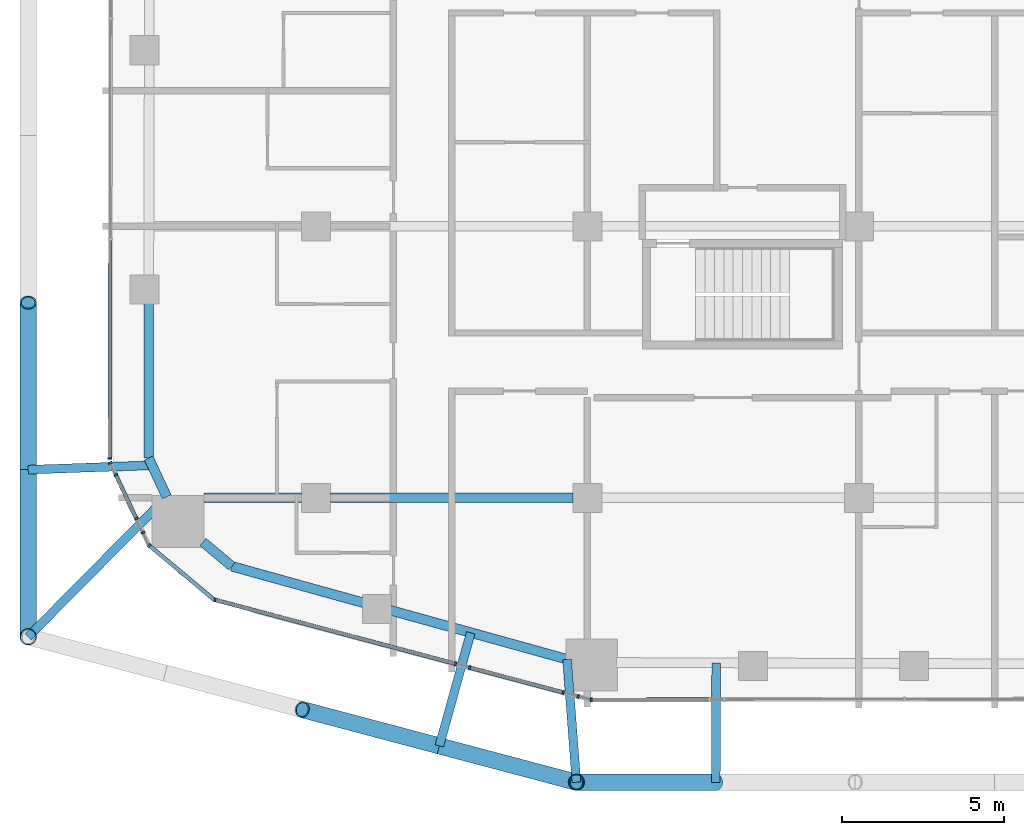
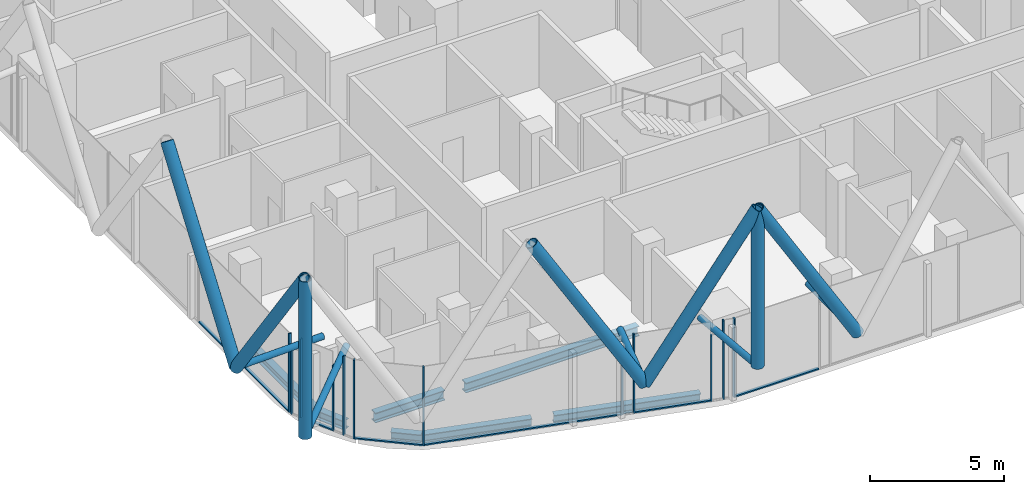
# One storey, part 2 of 36: 30 members, 7 beams, 12 elements without a shape of their own.
"""IFC4 building model written with IfcOpenShell, lengths in metres."""

from ifc_helpers import new_model, si_unit, direction, frame, origin, origin_2d, place, context, subcontext, project, spatial, rectangle, hollow_circle, i_section, extrude, material, layer, layer_set, material_profile, profile_set, type_object, element, aggregate, save


model = new_model("IFC4")

# Units and contexts
model_context = context("Model", 3, precision=1e-05, world=origin(), true_north=direction((0.0, 1.0)))
body_context = subcontext(model_context, "Body", "Model", "MODEL_VIEW")
ifc_project = project(units=[si_unit("LENGTHUNIT", "METRE"), si_unit("AREAUNIT", "SQUARE_METRE"), si_unit("VOLUMEUNIT", "CUBIC_METRE"), si_unit("PLANEANGLEUNIT", "RADIAN"), si_unit("MASSUNIT", "GRAM", prefix="KILO")], contexts=[model_context])

# Site, building, storey
site_placement = place(None, origin())
site = spatial("IfcSite", under=ifc_project, at=site_placement, CompositionType="ELEMENT")
building_placement = place(site_placement, origin())
building = spatial("IfcBuilding", under=site, at=building_placement, Name="Marenta Gate Hotel Tower", CompositionType="ELEMENT")
storey_placement = place(building_placement, frame((0.0, 0.0, 144.5)))
storey = spatial("IfcBuildingStorey", under=building, at=storey_placement, Name="L33", CompositionType="ELEMENT", Elevation=144.5)

# Members
ifc_material_1 = material(Name="Steel S355J2W", Category="steel")
ifc_material_profile_1 = material_profile(ifc_material_1, hollow_circle(Radius=0.25390625, WallThickness=0.02490234375, at=origin_2d()), Name="CHS 508x25")
ifc_profile_set_1 = profile_set([ifc_material_profile_1], Name="Steel S355J2W")
member_type_1 = type_object("IfcMemberType", Name="Diagrid corner post Z2 CHS 508x25", PredefinedType="POST", material=ifc_profile_set_1)
for number, where, z_axis, x_axis, name in (
    (1, (-12.93896484375, -25.60009765625, 3.139892578125), (0.0, 0.0, 1.0), (1.0, 0.0, 0.0), "L33-DR-4"),
    (2, (-29.89990234375, -21.10009765625, 3.139892578125), (0.0, 0.0, 1.0), (1.0, 0.0, 0.0), "L33-DR-5"),
):
    element("IfcMember", number, at=place(storey_placement, frame(where, z_axis=z_axis, x_axis=x_axis)), inside=storey, type_object=member_type_1, Name=name, PredefinedType="POST", context=body_context, shape_type="SweptSolid", body=[
        extrude(hollow_circle(Radius=0.25390625, WallThickness=0.02490234375, at=origin_2d()), origin(), (0.0, 0.0, 1.0), 7.2001953125),
    ])
ifc_material_2 = material(Name="Steel S355J2W", Category="steel")
ifc_material_profile_2 = material_profile(ifc_material_2, hollow_circle(Radius=0.25390625, WallThickness=0.0400390625, at=origin_2d()), Name="CHS 508x40")
ifc_profile_set_2 = profile_set([ifc_material_profile_2], Name="Steel S355J2W")
member_type_2 = type_object("IfcMemberType", Name="Diagrid diagonal Z2 CHS 508x40", PredefinedType="BRACE", material=ifc_profile_set_2)
member_1_placement = place(storey_placement, frame((-8.6259765625, -25.60009765625, 3.139892578125), z_axis=(-0.513871079492, 0.0, 0.857867421961), x_axis=(0.0, -1.0, 0.0)))
element("IfcMember", 3, at=member_1_placement, inside=storey, type_object=member_type_2, Name="L33-DG-20", PredefinedType="BRACE", context=body_context, shape_type="SweptSolid", body=[
    extrude(hollow_circle(Radius=0.25390625, WallThickness=0.0400390625, at=origin_2d()), origin(), (0.0, 0.0, 1.0), 8.39306640625),
])
for number, where, z_axis, x_axis, name in (
    (4, (-17.17919921875, -24.47509765625, 3.139892578125), (0.50291158245, -0.13343024942, 0.853976761263), (0.256443187528, 0.96655930577, 0.0), "L33-DG-21"),
    (5, (-17.17919921875, -24.47509765625, 3.139892578125), (-0.50291158245, 0.13343024942, 0.853976761263), (-0.256443187528, -0.96655930577, 0.0), "L33-DG-22"),
):
    element("IfcMember", number, at=place(storey_placement, frame(where, z_axis=z_axis, x_axis=x_axis)), inside=storey, type_object=member_type_2, Name=name, PredefinedType="BRACE", context=body_context, shape_type="SweptSolid", body=[
        extrude(hollow_circle(Radius=0.25390625, WallThickness=0.0400390625, at=origin_2d()), origin(), (0.0, 0.0, 1.0), 8.431396484375),
    ])
member_2_placement = place(storey_placement, frame((-29.89990234375, -15.93017578125, 3.139892578125), z_axis=(0.0, -0.583247791947, 0.812294289767), x_axis=(1.0, 0.0, 0.0)))
element("IfcMember", 6, at=member_2_placement, inside=storey, type_object=member_type_2, Name="L33-DG-25", PredefinedType="BRACE", context=body_context, shape_type="SweptSolid", body=[
    extrude(hollow_circle(Radius=0.25390625, WallThickness=0.0400390625, at=origin_2d()), origin(), (0.0, 0.0, 1.0), 8.864013671875),
])
member_3_placement = place(storey_placement, frame((-29.89990234375, -15.93017578125, 3.139892578125), z_axis=(0.0, 0.583265964901, 0.81228124082), x_axis=(-1.0, 0.0, 0.0)))
element("IfcMember", 7, at=member_3_placement, inside=storey, type_object=member_type_2, Name="L33-DG-26", PredefinedType="BRACE", context=body_context, shape_type="SweptSolid", body=[
    extrude(hollow_circle(Radius=0.25390625, WallThickness=0.0400390625, at=origin_2d()), origin(), (0.0, 0.0, 1.0), 8.8642578125),
])

# Beams
ifc_material_3 = material(Name="Steel S355", Category="steel")
ifc_material_profile_3 = material_profile(ifc_material_3, i_section(OverallWidth=0.300048828125, OverallDepth=0.39990234375, WebThickness=0.013427734375, FlangeThickness=0.02392578125, FilletRadius=0.027099609375, at=origin_2d()), Name="HEB 400")
ifc_profile_set_3 = profile_set([ifc_material_profile_3], Name="Steel S355")
beam_type_1 = type_object("IfcBeamType", Name="Edge beam HEB 400", PredefinedType="SPANDREL", material=ifc_profile_set_3)
beam_1_placement = place(storey_placement, frame((-13.227783203125, -21.794677734375, -0.4599609375), z_axis=(-0.963615860477, 0.267290990189, 0.0), x_axis=(-0.267290990189, -0.963615860477, 0.0)))
element("IfcBeam", 8, at=beam_1_placement, inside=storey, type_object=beam_type_1, Name="L33-EB-1", PredefinedType="SPANDREL", context=body_context, shape_type="SweptSolid", body=[
    extrude(i_section(OverallWidth=0.300048828125, OverallDepth=0.39990234375, WebThickness=0.013427734375, FlangeThickness=0.02392578125, FilletRadius=0.027099609375, at=origin_2d()), origin(), (0.0, 0.0, 1.0), 5.674072265625),
])
beam_2_placement = place(storey_placement, frame((-19.518310546875, -20.0498046875, -0.4599609375), z_axis=(-0.963630213062, 0.267239242016, 0.0), x_axis=(-0.267239242016, -0.963630213062, 0.0)))
element("IfcBeam", 9, at=beam_2_placement, inside=storey, type_object=beam_type_1, Name="L33-EB-2", PredefinedType="SPANDREL", context=body_context, shape_type="SweptSolid", body=[
    extrude(i_section(OverallWidth=0.300048828125, OverallDepth=0.39990234375, WebThickness=0.013427734375, FlangeThickness=0.02392578125, FilletRadius=0.027099609375, at=origin_2d()), origin(), (0.0, 0.0, 1.0), 4.232666015625),
])
beam_3_placement = place(storey_placement, frame((-23.596923828125, -18.918701171875, -0.4599609375), z_axis=(-0.767073132856, 0.641559668972, 0.0), x_axis=(-0.641559668972, -0.767073132856, 0.0)))
element("IfcBeam", 10, at=beam_3_placement, inside=storey, type_object=beam_type_1, Name="L33-EB-3", PredefinedType="SPANDREL", context=body_context, shape_type="SweptSolid", body=[
    extrude(i_section(OverallWidth=0.300048828125, OverallDepth=0.39990234375, WebThickness=0.013427734375, FlangeThickness=0.02392578125, FilletRadius=0.027099609375, at=origin_2d()), origin(), (0.0, 0.0, 1.0), 1.1689453125),
])
beam_4_placement = place(storey_placement, frame((-25.613525390625, -16.769287109375, -0.4599609375), z_axis=(-0.423207780269, 0.906032656541, 0.0), x_axis=(-0.906032656541, -0.423207780269, 0.0)))
element("IfcBeam", 11, at=beam_4_placement, inside=storey, type_object=beam_type_1, Name="L33-EB-4", PredefinedType="SPANDREL", context=body_context, shape_type="SweptSolid", body=[
    extrude(i_section(OverallWidth=0.300048828125, OverallDepth=0.39990234375, WebThickness=0.013427734375, FlangeThickness=0.02392578125, FilletRadius=0.027099609375, at=origin_2d()), origin(), (0.0, 0.0, 1.0), 1.326904296875),
])
beam_5_placement = place(storey_placement, frame((-26.175048828125, -15.567138671875, -0.4599609375), z_axis=(0.001371810517, 0.999999059068, 0.0), x_axis=(-0.999999059068, 0.001371810517, 0.0)))
element("IfcBeam", 12, at=beam_5_placement, inside=storey, type_object=beam_type_1, Name="L33-EB-5", PredefinedType="SPANDREL", context=body_context, shape_type="SweptSolid", body=[
    extrude(i_section(OverallWidth=0.300048828125, OverallDepth=0.39990234375, WebThickness=0.013427734375, FlangeThickness=0.02392578125, FilletRadius=0.027099609375, at=origin_2d()), origin(), (0.0, 0.0, 1.0), 4.80517578125),
])

# Members
ifc_material_4 = material(Name="Steel S355J2W", Category="steel")
ifc_material_profile_4 = material_profile(ifc_material_4, hollow_circle(Radius=0.136474609375, WallThickness=0.012451171875, at=origin_2d()), Name="CHS 273x12.5")
ifc_profile_set_4 = profile_set([ifc_material_profile_4], Name="Steel S355J2W")
member_type_3 = type_object("IfcMemberType", Name="Floor tie CHS 273x12.5", PredefinedType="STRUT", material=ifc_profile_set_4)
member_4_placement = place(storey_placement, frame((-8.6259765625, -25.60009765625, 3.139892578125), z_axis=(0.003177318972, 0.999994952309, 0.0), x_axis=(-0.999994952309, 0.003177318972, 0.0)))
element("IfcMember", 13, at=member_4_placement, inside=storey, type_object=member_type_3, Name="L33-DR-15", PredefinedType="STRUT", context=body_context, shape_type="SweptSolid", body=[
    extrude(hollow_circle(Radius=0.136474609375, WallThickness=0.012451171875, at=origin_2d()), origin(), (0.0, 0.0, 1.0), 3.688232421875),
])
member_5_placement = place(storey_placement, frame((-12.93896484375, -25.60009765625, 3.139892578125), z_axis=(-0.075691735753, 0.997131265751, 0.0), x_axis=(-0.997131265751, -0.075691735753, 0.0)))
element("IfcMember", 14, at=member_5_placement, inside=storey, type_object=member_type_3, Name="L33-DR-16", PredefinedType="STRUT", context=body_context, shape_type="SweptSolid", body=[
    extrude(hollow_circle(Radius=0.136474609375, WallThickness=0.012451171875, at=origin_2d()), origin(), (0.0, 0.0, 1.0), 3.809326171875),
])
member_6_placement = place(storey_placement, frame((-17.17919921875, -24.47509765625, 3.139892578125), z_axis=(0.26723825199, 0.963630487621, 0.0), x_axis=(-0.963630487621, 0.26723825199, 0.0)))
element("IfcMember", 15, at=member_6_placement, inside=storey, type_object=member_type_3, Name="L33-DR-17", PredefinedType="STRUT", context=body_context, shape_type="SweptSolid", body=[
    extrude(hollow_circle(Radius=0.136474609375, WallThickness=0.012451171875, at=origin_2d()), origin(), (0.0, 0.0, 1.0), 3.63232421875),
])
member_7_placement = place(storey_placement, frame((-29.89990234375, -21.10009765625, 3.139892578125), z_axis=(0.703467207322, 0.710727717359, 0.0), x_axis=(-0.710727717359, 0.703467207322, 0.0)))
element("IfcMember", 16, at=member_7_placement, inside=storey, type_object=member_type_3, Name="L33-DR-18", PredefinedType="STRUT", context=body_context, shape_type="SweptSolid", body=[
    extrude(hollow_circle(Radius=0.136474609375, WallThickness=0.012451171875, at=origin_2d()), origin(), (0.0, 0.0, 1.0), 6.086181640625),
])
member_8_placement = place(storey_placement, frame((-29.89990234375, -15.93017578125, 3.139892578125), z_axis=(0.999365777603, 0.035609585179, 0.0), x_axis=(-0.035609585179, 0.999365777603, 0.0)))
element("IfcMember", 17, at=member_8_placement, inside=storey, type_object=member_type_3, Name="L33-DR-19", PredefinedType="STRUT", context=body_context, shape_type="SweptSolid", body=[
    extrude(hollow_circle(Radius=0.136474609375, WallThickness=0.012451171875, at=origin_2d()), origin(), (0.0, 0.0, 1.0), 3.82568359375),
])

# Beams
ifc_material_5 = material(Name="Steel S355", Category="steel")
ifc_material_profile_5 = material_profile(ifc_material_5, i_section(OverallWidth=0.300048828125, OverallDepth=0.449951171875, WebThickness=0.013916015625, FlangeThickness=0.02587890625, FilletRadius=0.027099609375, at=origin_2d()), Name="HEB 450")
ifc_profile_set_5 = profile_set([ifc_material_profile_5], Name="Steel S355")
beam_type_2 = type_object("IfcBeamType", Name="Girder HEB 450", PredefinedType="BEAM", material=ifc_profile_set_5)
beam_6_placement = place(storey_placement, frame((-24.462890625, -16.800048828125, -0.485107421875), z_axis=(1.0, 0.0, 0.0), x_axis=(0.0, 1.0, 0.0)))
element("IfcBeam", 18, at=beam_6_placement, inside=storey, type_object=beam_type_2, Name="L33-GD-1", PredefinedType="BEAM", context=body_context, shape_type="SweptSolid", body=[
    extrude(i_section(OverallWidth=0.300048828125, OverallDepth=0.449951171875, WebThickness=0.013916015625, FlangeThickness=0.02587890625, FilletRadius=0.027099609375, at=origin_2d()), origin(), (0.0, 0.0, 1.0), 3.012939453125),
])
beam_7_placement = place(storey_placement, frame((-20.550048828125, -16.800048828125, -0.485107421875), z_axis=(1.0, 0.0, 0.0), x_axis=(0.0, 1.0, 0.0)))
element("IfcBeam", 19, at=beam_7_placement, inside=storey, type_object=beam_type_2, Name="L33-GD-2", PredefinedType="BEAM", context=body_context, shape_type="SweptSolid", body=[
    extrude(i_section(OverallWidth=0.300048828125, OverallDepth=0.449951171875, WebThickness=0.013916015625, FlangeThickness=0.02587890625, FilletRadius=0.027099609375, at=origin_2d()), origin(), (0.0, 0.0, 1.0), 7.5),
])

# Curtain wall, member
ifc_material_6 = material(Name="Tinted insulated glass in bronze anodised frame", Category="glass")
ifc_layer = layer(ifc_material_6, 0.1201171875)
ifc_layer_set = layer_set([ifc_layer], Name="Tinted insulated glass in bronze anodised frame")
curtain_wall_type = type_object("IfcCurtainWallType", Name="Tower unitised curtain wall CW1", PredefinedType="NOTDEFINED", material=ifc_layer_set)
curtain_wall_1_placement = place(storey_placement, origin())
curtain_wall_1 = element("IfcCurtainWall", 20, at=curtain_wall_1_placement, inside=storey, type_object=curtain_wall_type, Name="CW1 run G08", PredefinedType="NOTDEFINED")
ifc_material_7 = material(Name="Bronze anodised aluminium", Category="aluminium")
ifc_material_profile_6 = material_profile(ifc_material_7, rectangle(XDim=0.1201171875, YDim=0.06005859375, at=origin_2d()), Name="Mullion CW1 60x120 bronze anodised aluminium")
ifc_profile_set_6 = profile_set([ifc_material_profile_6], Name="Bronze anodised aluminium")
member_type_4 = type_object("IfcMemberType", Name="Mullion CW1 60x120 bronze anodised aluminium", PredefinedType="MULLION", material=ifc_profile_set_6)
member_9_placement = place(storey_placement, frame((-27.372802734375, -15.58349609375, 0.0), z_axis=(0.0, 0.0, 1.0), x_axis=(0.999998775571, -0.001564882094, 0.0)))
member_9 = element("IfcMember", 21, at=member_9_placement, type_object=member_type_4, Name="CW1 mullion 4", PredefinedType="MULLION", context=body_context, shape_type="SweptSolid", body=[
    extrude(rectangle(XDim=0.1201171875, YDim=0.06005859375, at=origin_2d()), origin(), (0.0, 0.0, 1.0), 3.60009765625),
])

curtain_wall_2_placement = place(storey_placement, origin())
curtain_wall_2 = element("IfcCurtainWall", 22, at=curtain_wall_2_placement, inside=storey, type_object=curtain_wall_type, Name="CW1 run G09", PredefinedType="NOTDEFINED")
member_10_placement = place(storey_placement, frame((-27.3603515625, -15.720947265625, 0.0), z_axis=(0.0, 0.0, 1.0), x_axis=(0.905968482447, 0.423345141478, 0.0)))
member_10 = element("IfcMember", 23, at=member_10_placement, type_object=member_type_4, Name="CW1 mullion 1", PredefinedType="MULLION", context=body_context, shape_type="SweptSolid", body=[
    extrude(rectangle(XDim=0.1201171875, YDim=0.06005859375, at=origin_2d()), origin(), (0.0, 0.0, 1.0), 3.00048828125),
])
aggregate(curtain_wall_2, [member_10])

curtain_wall_3_placement = place(storey_placement, origin())
curtain_wall_3 = element("IfcCurtainWall", 24, at=curtain_wall_3_placement, inside=storey, type_object=curtain_wall_type, Name="CW1 run G10", PredefinedType="NOTDEFINED")
member_11_placement = place(storey_placement, frame((-27.18896484375, -16.087890625, 0.0), z_axis=(0.0, 0.0, 1.0), x_axis=(0.905967431983, 0.423347389488, 0.0)))
member_11 = element("IfcMember", 25, at=member_11_placement, type_object=member_type_4, Name="CW1 mullion 1", PredefinedType="MULLION", context=body_context, shape_type="SweptSolid", body=[
    extrude(rectangle(XDim=0.1201171875, YDim=0.06005859375, at=origin_2d()), origin(), (0.0, 0.0, 1.0), 3.60009765625),
])

curtain_wall_4_placement = place(storey_placement, origin())
curtain_wall_4 = element("IfcCurtainWall", 26, at=curtain_wall_4_placement, inside=storey, type_object=curtain_wall_type, Name="CW1 run G11", PredefinedType="NOTDEFINED")
member_12_placement = place(storey_placement, frame((-26.556884765625, -17.4404296875, 0.0), z_axis=(0.0, 0.0, 1.0), x_axis=(0.905960772222, 0.423361641148, 0.0)))
member_12 = element("IfcMember", 27, at=member_12_placement, type_object=member_type_4, Name="CW1 mullion 1", PredefinedType="MULLION", context=body_context, shape_type="SweptSolid", body=[
    extrude(rectangle(XDim=0.1201171875, YDim=0.06005859375, at=origin_2d()), origin(), (0.0, 0.0, 1.0), 3.00048828125),
])
aggregate(curtain_wall_4, [member_12])

curtain_wall_5_placement = place(storey_placement, origin())
curtain_wall_5 = element("IfcCurtainWall", 28, at=curtain_wall_5_placement, inside=storey, type_object=curtain_wall_type, Name="CW1 run G12", PredefinedType="NOTDEFINED")
member_13_placement = place(storey_placement, frame((-26.352294921875, -17.8779296875, 0.0), z_axis=(0.0, 0.0, 1.0), x_axis=(0.906001027936, 0.42327548639, 0.0)))
member_13 = element("IfcMember", 29, at=member_13_placement, type_object=member_type_4, Name="CW1 mullion 1", PredefinedType="MULLION", context=body_context, shape_type="SweptSolid", body=[
    extrude(rectangle(XDim=0.1201171875, YDim=0.06005859375, at=origin_2d()), origin(), (0.0, 0.0, 1.0), 3.60009765625),
])
aggregate(curtain_wall_5, [member_13])

curtain_wall_6_placement = place(storey_placement, origin())
curtain_wall_6 = element("IfcCurtainWall", 30, at=curtain_wall_6_placement, inside=storey, type_object=curtain_wall_type, Name="CW1 run G13", PredefinedType="NOTDEFINED")
member_14_placement = place(storey_placement, frame((-26.152099609375, -18.27685546875, 0.0), z_axis=(0.0, 0.0, 1.0), x_axis=(0.641512168126, 0.767112858807, 0.0)))
member_14 = element("IfcMember", 31, at=member_14_placement, type_object=member_type_4, Name="CW1 mullion 1", PredefinedType="MULLION", context=body_context, shape_type="SweptSolid", body=[
    extrude(rectangle(XDim=0.1201171875, YDim=0.06005859375, at=origin_2d()), origin(), (0.0, 0.0, 1.0), 3.60009765625),
])

curtain_wall_7_placement = place(storey_placement, origin())
curtain_wall_7 = element("IfcCurtainWall", 32, at=curtain_wall_7_placement, inside=storey, type_object=curtain_wall_type, Name="CW1 run G14", PredefinedType="NOTDEFINED")
member_15_placement = place(storey_placement, frame((-24.12451171875, -19.955810546875, 0.0), z_axis=(0.0, 0.0, 1.0), x_axis=(0.257146376841, 0.96637246488, 0.0)))
member_15 = element("IfcMember", 33, at=member_15_placement, type_object=member_type_4, Name="CW1 mullion 1", PredefinedType="MULLION", context=body_context, shape_type="SweptSolid", body=[
    extrude(rectangle(XDim=0.1201171875, YDim=0.06005859375, at=origin_2d()), origin(), (0.0, 0.0, 1.0), 3.60009765625),
])

curtain_wall_8_placement = place(storey_placement, origin())
curtain_wall_8 = element("IfcCurtainWall", 34, at=curtain_wall_8_placement, inside=storey, type_object=curtain_wall_type, Name="CW1 run G15", PredefinedType="NOTDEFINED")
member_16_placement = place(storey_placement, frame((-16.67919921875, -21.93701171875, 0.0), z_axis=(0.0, 0.0, 1.0), x_axis=(0.257154287199, 0.966370359942, 0.0)))
member_16 = element("IfcMember", 35, at=member_16_placement, type_object=member_type_4, Name="CW1 mullion 1", PredefinedType="MULLION", context=body_context, shape_type="SweptSolid", body=[
    extrude(rectangle(XDim=0.1201171875, YDim=0.06005859375, at=origin_2d()), origin(), (0.0, 0.0, 1.0), 3.00048828125),
])
aggregate(curtain_wall_8, [member_16])

curtain_wall_9_placement = place(storey_placement, origin())
curtain_wall_9 = element("IfcCurtainWall", 36, at=curtain_wall_9_placement, inside=storey, type_object=curtain_wall_type, Name="CW1 run G16", PredefinedType="NOTDEFINED")
member_17_placement = place(storey_placement, frame((-16.241455078125, -22.053466796875, 0.0), z_axis=(0.0, 0.0, 1.0), x_axis=(0.257134543351, 0.966375613628, 0.0)))
member_17 = element("IfcMember", 37, at=member_17_placement, type_object=member_type_4, Name="CW1 mullion 1", PredefinedType="MULLION", context=body_context, shape_type="SweptSolid", body=[
    extrude(rectangle(XDim=0.1201171875, YDim=0.06005859375, at=origin_2d()), origin(), (0.0, 0.0, 1.0), 3.60009765625),
])

curtain_wall_10_placement = place(storey_placement, origin())
curtain_wall_10 = element("IfcCurtainWall", 38, at=curtain_wall_10_placement, inside=storey, type_object=curtain_wall_type, Name="CW1 run G17", PredefinedType="NOTDEFINED")
member_18_placement = place(storey_placement, frame((-13.348388671875, -22.8232421875, 0.0), z_axis=(0.0, 0.0, 1.0), x_axis=(0.257026845764, 0.966404263523, 0.0)))
member_18 = element("IfcMember", 39, at=member_18_placement, type_object=member_type_4, Name="CW1 mullion 1", PredefinedType="MULLION", context=body_context, shape_type="SweptSolid", body=[
    extrude(rectangle(XDim=0.1201171875, YDim=0.06005859375, at=origin_2d()), origin(), (0.0, 0.0, 1.0), 3.00048828125),
])
aggregate(curtain_wall_10, [member_18])

curtain_wall_11_placement = place(storey_placement, origin())
curtain_wall_11 = element("IfcCurtainWall", 40, at=curtain_wall_11_placement, inside=storey, type_object=curtain_wall_type, Name="CW1 run G18", PredefinedType="NOTDEFINED")
member_19_placement = place(storey_placement, frame((-12.884765625, -22.946533203125, 0.0), z_axis=(0.0, 0.0, 1.0), x_axis=(0.257279256414, 0.966337096576, 0.0)))
member_19 = element("IfcMember", 41, at=member_19_placement, type_object=member_type_4, Name="CW1 mullion 1", PredefinedType="MULLION", context=body_context, shape_type="SweptSolid", body=[
    extrude(rectangle(XDim=0.1201171875, YDim=0.06005859375, at=origin_2d()), origin(), (0.0, 0.0, 1.0), 3.60009765625),
])
aggregate(curtain_wall_11, [member_19])

curtain_wall_12_placement = place(storey_placement, origin())
curtain_wall_12 = element("IfcCurtainWall", 42, at=curtain_wall_12_placement, inside=storey, type_object=curtain_wall_type, Name="CW1 run G19", PredefinedType="NOTDEFINED")
member_20_placement = place(storey_placement, frame((-12.475830078125, -23.04736328125, 0.0), z_axis=(0.0, 0.0, 1.0), x_axis=(-0.001365521987, 0.999999067674, 0.0)))
member_20 = element("IfcMember", 43, at=member_20_placement, type_object=member_type_4, Name="CW1 mullion 1", PredefinedType="MULLION", context=body_context, shape_type="SweptSolid", body=[
    extrude(rectangle(XDim=0.1201171875, YDim=0.06005859375, at=origin_2d()), origin(), (0.0, 0.0, 1.0), 3.60009765625),
])

# Member
ifc_material_8 = material(Name="Bronze anodised aluminium", Category="aluminium")
ifc_material_profile_7 = material_profile(ifc_material_8, rectangle(XDim=0.1201171875, YDim=0.06005859375, at=origin_2d()), Name="Transom CW1 60x120 bronze anodised aluminium")
ifc_profile_set_7 = profile_set([ifc_material_profile_7], Name="Bronze anodised aluminium")
member_type_5 = type_object("IfcMemberType", Name="Transom CW1 60x120 bronze anodised aluminium", PredefinedType="USERDEFINED", material=ifc_profile_set_7)
member_21_placement = place(storey_placement, frame((-27.3623046875, -8.8271484375, 0.030029296875), z_axis=(-0.001560739996, -0.999998782045, 0.0), x_axis=(0.999998782045, -0.001560739996, 0.0)))
member_21 = element("IfcMember", 44, at=member_21_placement, type_object=member_type_5, Name="CW1 transom 3.1", ObjectType="TRANSOM", PredefinedType="USERDEFINED", context=body_context, shape_type="SweptSolid", body=[
    extrude(rectangle(XDim=0.1201171875, YDim=0.06005859375, at=origin_2d()), origin(), (0.0, 0.0, 1.0), 6.726318359375),
])

aggregate(curtain_wall_1, [member_9, member_21])

member_22_placement = place(storey_placement, frame((-27.17626953125, -16.114990234375, 0.030029296875), z_axis=(0.423342396771, -0.905969765001, 0.0), x_axis=(0.905969765001, 0.423342396771, 0.0)))
member_22 = element("IfcMember", 45, at=member_22_placement, type_object=member_type_5, Name="CW1 transom 1.1", ObjectType="TRANSOM", PredefinedType="USERDEFINED", context=body_context, shape_type="SweptSolid", body=[
    extrude(rectangle(XDim=0.1201171875, YDim=0.06005859375, at=origin_2d()), origin(), (0.0, 0.0, 1.0), 1.43310546875),
])

aggregate(curtain_wall_3, [member_11, member_22])

member_23_placement = place(storey_placement, frame((-26.12890625, -18.296142578125, 0.030029296875), z_axis=(0.767116735682, -0.641507532175, 0.0), x_axis=(0.641507532175, 0.767116735682, 0.0)))
member_23 = element("IfcMember", 46, at=member_23_placement, type_object=member_type_5, Name="CW1 transom 1.1", ObjectType="TRANSOM", PredefinedType="USERDEFINED", context=body_context, shape_type="SweptSolid", body=[
    extrude(rectangle(XDim=0.1201171875, YDim=0.06005859375, at=origin_2d()), origin(), (0.0, 0.0, 1.0), 2.575439453125),
])

aggregate(curtain_wall_6, [member_14, member_23])

member_24_placement = place(storey_placement, frame((-24.095458984375, -19.963623046875, 0.030029296875), z_axis=(0.966376327666, -0.257131859807, 0.0), x_axis=(0.257131859807, 0.966376327666, 0.0)))
member_24 = element("IfcMember", 47, at=member_24_placement, type_object=member_type_5, Name="CW1 transom 1.1", ObjectType="TRANSOM", PredefinedType="USERDEFINED", context=body_context, shape_type="SweptSolid", body=[
    extrude(rectangle(XDim=0.1201171875, YDim=0.06005859375, at=origin_2d()), origin(), (0.0, 0.0, 1.0), 7.644287109375),
])

aggregate(curtain_wall_7, [member_15, member_24])

member_25_placement = place(storey_placement, frame((-16.21240234375, -22.061279296875, 0.030029296875), z_axis=(0.966370170989, -0.257154997275, 0.0), x_axis=(0.257154997275, 0.966370170989, 0.0)))
member_25 = element("IfcMember", 48, at=member_25_placement, type_object=member_type_5, Name="CW1 transom 1.1", ObjectType="TRANSOM", PredefinedType="USERDEFINED", context=body_context, shape_type="SweptSolid", body=[
    extrude(rectangle(XDim=0.1201171875, YDim=0.06005859375, at=origin_2d()), origin(), (0.0, 0.0, 1.0), 2.93359375),
])

aggregate(curtain_wall_9, [member_17, member_25])

member_26_placement = place(storey_placement, frame((-12.44580078125, -23.04736328125, 0.030029296875), z_axis=(0.999999080974, 0.001355747127, 0.0), x_axis=(-0.001355747127, 0.999999080974, 0.0)))
member_26 = element("IfcMember", 49, at=member_26_placement, type_object=member_type_5, Name="CW1 transom 1.1", ObjectType="TRANSOM", PredefinedType="USERDEFINED", context=body_context, shape_type="SweptSolid", body=[
    extrude(rectangle(XDim=0.1201171875, YDim=0.06005859375, at=origin_2d()), origin(), (0.0, 0.0, 1.0), 3.6015625),
])

aggregate(curtain_wall_12, [member_20, member_26])

save(model, "model.ifc")
